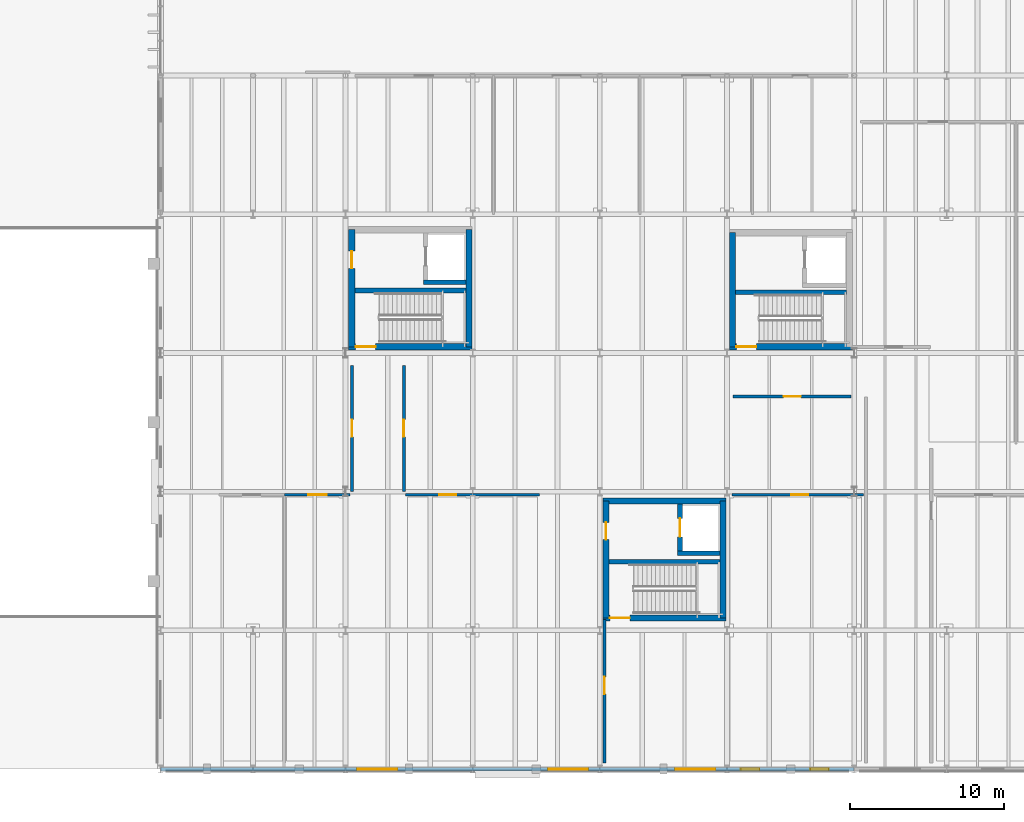
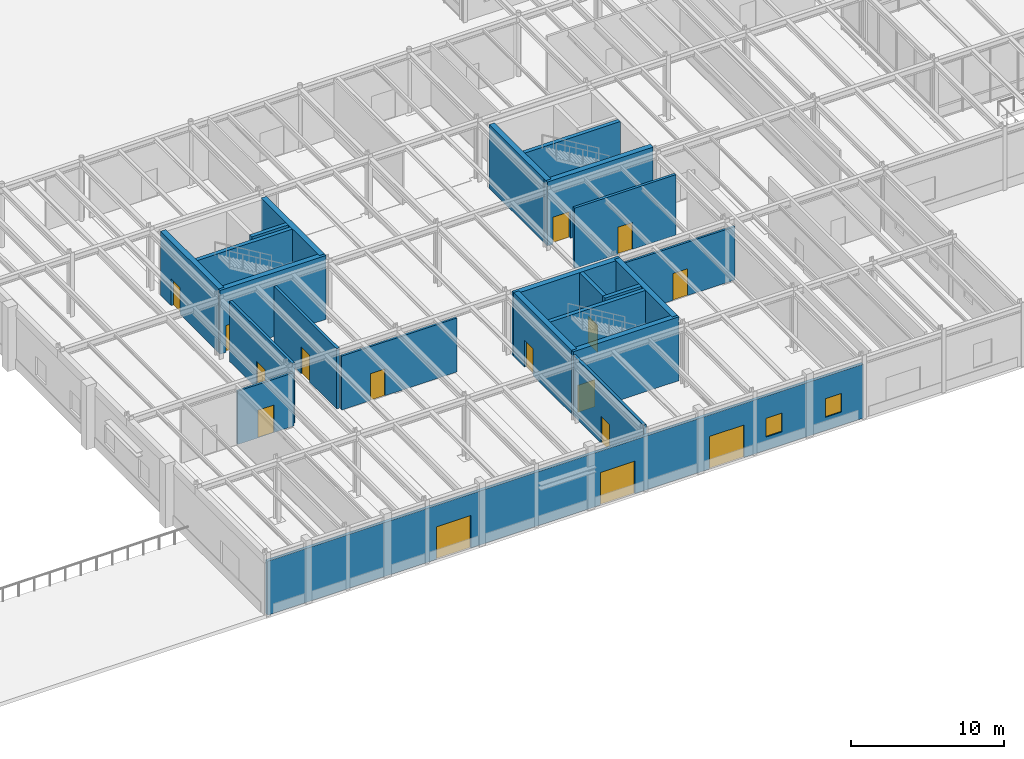
# One storey, part 40 of 64: 23 walls, 16 doors, 2 windows, 18 openings.
"""IFC4 building model written with IfcOpenShell, lengths in metres."""

from ifc_helpers import new_model, si_unit, direction, frame, frame_2d, origin, place, context, subcontext, project, spatial, rectangle, extrude, material, layer, layer_set, type_object, element, fill, save


model = new_model("IFC4")

# Units and contexts
model_context = context("Model", 3, precision=1e-05, world=origin(), true_north=direction((0.0, 1.0)))
body_context = subcontext(model_context, "Body", "Model", "MODEL_VIEW")
ifc_project = project(units=[si_unit("LENGTHUNIT", "METRE"), si_unit("AREAUNIT", "SQUARE_METRE"), si_unit("VOLUMEUNIT", "CUBIC_METRE"), si_unit("PLANEANGLEUNIT", "RADIAN"), si_unit("MASSUNIT", "GRAM", prefix="KILO")], contexts=[model_context])

# Site, building, storey
site_placement = place(None, origin())
site = spatial("IfcSite", under=ifc_project, at=site_placement, CompositionType="ELEMENT")
building_placement = place(site_placement, origin())
building = spatial("IfcBuilding", under=site, at=building_placement, Name="Montealbar Specialist Clinic", CompositionType="ELEMENT")
storey_placement = place(building_placement, origin())
storey = spatial("IfcBuildingStorey", under=building, at=storey_placement, Name="L00", CompositionType="ELEMENT", Elevation=0.0)

# Walls
ifc_material_1 = material(Name="Concrete C35/45", Category="concrete")
ifc_layer_1 = layer(ifc_material_1, 0.300048828125, Name="Concrete C35/45", Category="concrete")
ifc_layer_set_1 = layer_set([ifc_layer_1], Name="Concrete C35/45")
wall_type_1 = type_object("IfcWallType", Name="WL-CORE-300", PredefinedType="SHEAR", material=ifc_layer_set_1)
wall_1_placement = place(storey_placement, frame((66.60009765625, 31.050048828125, 0.0), z_axis=(0.0, 0.0, 1.0), x_axis=(1.0, 0.0, 0.0)))
element("IfcWall", 1, at=wall_1_placement, inside=storey, type_object=wall_type_1, Name="Core C3 Stairwell Wall L00", PredefinedType="SHEAR", context=body_context, shape_type="SweptSolid", body=[
    extrude(rectangle(XDim=7.199951171875, YDim=0.300048828125, at=frame_2d((3.60009765625, 0.0))), origin(), (0.0, 0.0, 1.0), 5.10009765625),
])
wall_2_placement = place(storey_placement, frame((71.050048828125, 31.60009765625, 0.0), z_axis=(0.0, 0.0, 1.0), x_axis=(1.0, 0.0, 0.0)))
element("IfcWall", 2, at=wall_2_placement, inside=storey, type_object=wall_type_1, Name="Lift FL-01 Shaft Wall L00 LS", PredefinedType="SHEAR", context=body_context, shape_type="SweptSolid", body=[
    extrude(rectangle(XDim=2.75, YDim=0.300048828125, at=frame_2d((1.375, 0.0))), origin(), (0.0, 0.0, 1.0), 5.10009765625),
])
wall_3_placement = place(storey_placement, frame((83.10009765625, 13.449951171875, 0.0), z_axis=(0.0, 0.0, 1.0), x_axis=(1.0, 0.0, 0.0)))
element("IfcWall", 3, at=wall_3_placement, inside=storey, type_object=wall_type_1, Name="Core C4 Stairwell Wall L00", PredefinedType="SHEAR", context=body_context, shape_type="SweptSolid", body=[
    extrude(rectangle(XDim=7.199951171875, YDim=0.300048828125, at=frame_2d((3.60009765625, 0.0))), origin(), (0.0, 0.0, 1.0), 5.10009765625),
])
wall_4_placement = place(storey_placement, frame((87.550048828125, 14.0, 0.0), z_axis=(0.0, 0.0, 1.0), x_axis=(1.0, 0.0, 0.0)))
element("IfcWall", 4, at=wall_4_placement, inside=storey, type_object=wall_type_1, Name="Lift FL-02 Shaft Wall L00 LS", PredefinedType="SHEAR", context=body_context, shape_type="SweptSolid", body=[
    extrude(rectangle(XDim=2.75, YDim=0.300048828125, at=frame_2d((1.375, 0.0))), origin(), (0.0, 0.0, 1.0), 5.10009765625),
])

# Wall, opening, door
wall_5_placement = place(storey_placement, frame((87.699951171875, 14.14990234375, 0.0), z_axis=(0.0, 0.0, 1.0), x_axis=(0.0, 1.0, 0.0)))
wall_5 = element("IfcWall", 5, at=wall_5_placement, inside=storey, type_object=wall_type_1, Name="Lift FL-02 Shaft Wall L00 LW", PredefinedType="SHEAR", context=body_context, shape_type="SweptSolid", body=[
    extrude(rectangle(XDim=3.050048828125, YDim=0.300048828125, at=frame_2d((1.52490234375, 0.0))), origin(), (0.0, 0.0, 1.0), 5.10009765625),
])
opening_1_placement = place(wall_5_placement, frame((0.925048828125, 0.0, 0.0)))
opening_1 = element("IfcOpeningElement", 6, at=opening_1_placement, cuts=wall_5, Name="Opening LD-12", PredefinedType="OPENING", context=body_context, shape_type="SweptSolid", body=[
    extrude(rectangle(XDim=1.199951171875, YDim=2.14990234375, at=frame_2d((0.60009765625, 1.074951171875))), frame((0.0, 0.159912109375, 0.0), z_axis=(0.0, -1.0, 0.0), x_axis=(1.0, 0.0, 0.0)), (0.0, 0.0, 1.0), 0.320068359375),
])
ifc_material_2 = material(Name="Steel S355", Category="steel")
door_type_1 = type_object("IfcDoorType", Name="DR-LIFT-LD1200", OperationType="DOUBLE_DOOR_SLIDING", PredefinedType="DOOR", material=ifc_material_2)
door_1_placement = place(opening_1_placement, origin())
door_1 = element("IfcDoor", 7, at=door_1_placement, inside=storey, type_object=door_type_1, Name="Lift FL-02 Sliding Landing Door L00", OperationType="DOUBLE_DOOR_SLIDING", OverallHeight=2.14990234375, OverallWidth=1.199951171875, PredefinedType="DOOR", context=body_context, shape_type="SweptSolid", body=[
    extrude(rectangle(XDim=1.199951171875, YDim=2.14990234375, at=frame_2d((0.60009765625, 1.074951171875))), frame((0.0, 0.02490234375, 0.0), z_axis=(0.0, -1.0, 0.0), x_axis=(1.0, 0.0, 0.0)), (0.0, 0.0, 1.0), 0.050048828125),
])
fill(opening_1, door_1)

# Wall
wall_6_placement = place(storey_placement, frame((91.300048828125, 30.949951171875, 0.0), z_axis=(0.0, 0.0, 1.0), x_axis=(1.0, 0.0, 0.0)))
element("IfcWall", 8, at=wall_6_placement, inside=storey, type_object=wall_type_1, Name="Core C5 Stairwell Wall L00", PredefinedType="SHEAR", context=body_context, shape_type="SweptSolid", body=[
    extrude(rectangle(XDim=7.199951171875, YDim=0.300048828125, at=frame_2d((3.60009765625, 0.0))), origin(), (0.0, 0.0, 1.0), 5.10009765625),
])

# Wall, opening, door
ifc_layer_2 = layer(ifc_material_1, 0.39990234375, Name="Concrete C35/45", Category="concrete")
ifc_layer_set_2 = layer_set([ifc_layer_2], Name="Concrete C35/45")
wall_type_2 = type_object("IfcWallType", Name="WL-CORE-400", PredefinedType="SHEAR", material=ifc_layer_set_2)
wall_7_placement = place(storey_placement, frame((66.199951171875, 27.39990234375, 0.0), z_axis=(0.0, 0.0, 1.0), x_axis=(1.0, 0.0, 0.0)))
wall_7 = element("IfcWall", 9, at=wall_7_placement, inside=storey, type_object=wall_type_2, Name="Core C3 Shear Wall L00 S", PredefinedType="SHEAR", context=body_context, shape_type="SweptSolid", body=[
    extrude(rectangle(XDim=8.0, YDim=0.39990234375, at=frame_2d((4.0, 0.0))), origin(), (0.0, 0.0, 1.0), 5.10009765625),
])
opening_2_placement = place(wall_7_placement, frame((0.449951171875, 0.0, 0.0)))
opening_2 = element("IfcOpeningElement", 10, at=opening_2_placement, cuts=wall_7, Name="Opening SD-13", PredefinedType="OPENING", context=body_context, shape_type="SweptSolid", body=[
    extrude(rectangle(XDim=1.300048828125, YDim=2.14990234375, at=frame_2d((0.64990234375, 1.074951171875))), frame((0.0, 0.2099609375, 0.0), z_axis=(0.0, -1.0, 0.0), x_axis=(1.0, 0.0, 0.0)), (0.0, 0.0, 1.0), 0.419921875),
])
door_type_2 = type_object("IfcDoorType", Name="DR-STAIR-W1300", OperationType="NOTDEFINED", PredefinedType="DOOR", material=ifc_material_2)
door_2_placement = place(opening_2_placement, frame((1.300048828125, 0.0, 0.0), z_axis=(0.0, 0.0, 1.0), x_axis=(-1.0, 0.0, 0.0)))
door_2 = element("IfcDoor", 11, at=door_2_placement, inside=storey, type_object=door_type_2, Name="Protected Core C3 Stair Fire Door L00", OperationType="SINGLE_SWING_LEFT", OverallHeight=2.14990234375, OverallWidth=1.300048828125, PredefinedType="DOOR", context=body_context, shape_type="SweptSolid", body=[
    extrude(rectangle(XDim=1.300048828125, YDim=2.14990234375, at=frame_2d((0.64990234375, 1.074951171875))), frame((0.0, 0.02490234375, 0.0), z_axis=(0.0, -1.0, 0.0), x_axis=(1.0, 0.0, 0.0)), (0.0, 0.0, 1.0), 0.050048828125),
])
fill(opening_2, door_2)

wall_8_placement = place(storey_placement, frame((66.39990234375, 27.39990234375, 0.0), z_axis=(0.0, 0.0, 1.0), x_axis=(0.0, 1.0, 0.0)))
wall_8 = element("IfcWall", 12, at=wall_8_placement, inside=storey, type_object=wall_type_2, Name="Core C3 Shear Wall L00 W", PredefinedType="SHEAR", context=body_context, shape_type="SweptSolid", body=[
    extrude(rectangle(XDim=7.60009765625, YDim=0.39990234375, at=frame_2d((3.800048828125, 0.0))), origin(), (0.0, 0.0, 1.0), 5.10009765625),
])
opening_3_placement = place(wall_8_placement, frame((5.090087890625, 0.0, 0.0)))
opening_3 = element("IfcOpeningElement", 13, at=opening_3_placement, cuts=wall_8, Name="Opening FD-110", PredefinedType="OPENING", context=body_context, shape_type="SweptSolid", body=[
    extrude(rectangle(XDim=1.1201171875, YDim=2.14990234375, at=frame_2d((0.56005859375, 1.074951171875))), frame((0.0, 0.2099609375, 0.0), z_axis=(0.0, -1.0, 0.0), x_axis=(1.0, 0.0, 0.0)), (0.0, 0.0, 1.0), 0.419921875),
])
door_type_3 = type_object("IfcDoorType", Name="DR-FIRE-W1100", OperationType="NOTDEFINED", PredefinedType="DOOR", material=ifc_material_2)
door_3_placement = place(opening_3_placement, origin())
door_3 = element("IfcDoor", 14, at=door_3_placement, inside=storey, type_object=door_type_3, Name="Firefighting Lobby C3 Entrance Door L00", OperationType="SINGLE_SWING_RIGHT", OverallHeight=2.14990234375, OverallWidth=1.1201171875, PredefinedType="DOOR", context=body_context, shape_type="SweptSolid", body=[
    extrude(rectangle(XDim=1.1201171875, YDim=2.14990234375, at=frame_2d((0.56005859375, 1.074951171875))), frame((0.0, 0.02490234375, 0.0), z_axis=(0.0, -1.0, 0.0), x_axis=(1.0, 0.0, 0.0)), (0.0, 0.0, 1.0), 0.050048828125),
])
fill(opening_3, door_3)

# Wall
wall_9_placement = place(storey_placement, frame((74.0, 27.39990234375, 0.0), z_axis=(0.0, 0.0, 1.0), x_axis=(0.0, 1.0, 0.0)))
element("IfcWall", 15, at=wall_9_placement, inside=storey, type_object=wall_type_2, Name="Core C3 Shear Wall L00 E", PredefinedType="SHEAR", context=body_context, shape_type="SweptSolid", body=[
    extrude(rectangle(XDim=7.60009765625, YDim=0.39990234375, at=frame_2d((3.800048828125, 0.0))), origin(), (0.0, 0.0, 1.0), 5.10009765625),
])

# Wall, opening, door
wall_10_placement = place(storey_placement, frame((82.699951171875, 9.800048828125, 0.0), z_axis=(0.0, 0.0, 1.0), x_axis=(1.0, 0.0, 0.0)))
wall_10 = element("IfcWall", 16, at=wall_10_placement, inside=storey, type_object=wall_type_2, Name="Core C4 Shear Wall L00 S", PredefinedType="SHEAR", context=body_context, shape_type="SweptSolid", body=[
    extrude(rectangle(XDim=8.0, YDim=0.39990234375, at=frame_2d((4.0, 0.0))), origin(), (0.0, 0.0, 1.0), 5.10009765625),
])
opening_4_placement = place(wall_10_placement, frame((0.449951171875, 0.0, 0.0)))
opening_4 = element("IfcOpeningElement", 17, at=opening_4_placement, cuts=wall_10, Name="Opening SD-13", PredefinedType="OPENING", context=body_context, shape_type="SweptSolid", body=[
    extrude(rectangle(XDim=1.300048828125, YDim=2.14990234375, at=frame_2d((0.64990234375, 1.074951171875))), frame((0.0, 0.2099609375, 0.0), z_axis=(0.0, -1.0, 0.0), x_axis=(1.0, 0.0, 0.0)), (0.0, 0.0, 1.0), 0.419921875),
])
door_4_placement = place(opening_4_placement, frame((1.300048828125, 0.0, 0.0), z_axis=(0.0, 0.0, 1.0), x_axis=(-1.0, 0.0, 0.0)))
door_4 = element("IfcDoor", 18, at=door_4_placement, inside=storey, type_object=door_type_2, Name="Protected Core C4 Stair Fire Door L00", OperationType="SINGLE_SWING_LEFT", OverallHeight=2.14990234375, OverallWidth=1.300048828125, PredefinedType="DOOR", context=body_context, shape_type="SweptSolid", body=[
    extrude(rectangle(XDim=1.300048828125, YDim=2.14990234375, at=frame_2d((0.64990234375, 1.074951171875))), frame((0.0, 0.02490234375, 0.0), z_axis=(0.0, -1.0, 0.0), x_axis=(1.0, 0.0, 0.0)), (0.0, 0.0, 1.0), 0.050048828125),
])
fill(opening_4, door_4)

# Wall
wall_11_placement = place(storey_placement, frame((82.699951171875, 17.39990234375, 0.0), z_axis=(0.0, 0.0, 1.0), x_axis=(1.0, 0.0, 0.0)))
element("IfcWall", 19, at=wall_11_placement, inside=storey, type_object=wall_type_2, Name="Core C4 Shear Wall L00 N", PredefinedType="SHEAR", context=body_context, shape_type="SweptSolid", body=[
    extrude(rectangle(XDim=8.0, YDim=0.39990234375, at=frame_2d((4.0, 0.0))), origin(), (0.0, 0.0, 1.0), 5.10009765625),
])

# Wall, opening, door
wall_12_placement = place(storey_placement, frame((82.89990234375, 9.800048828125, 0.0), z_axis=(0.0, 0.0, 1.0), x_axis=(0.0, 1.0, 0.0)))
wall_12 = element("IfcWall", 20, at=wall_12_placement, inside=storey, type_object=wall_type_2, Name="Core C4 Shear Wall L00 W", PredefinedType="SHEAR", context=body_context, shape_type="SweptSolid", body=[
    extrude(rectangle(XDim=7.599853515625, YDim=0.39990234375, at=frame_2d((3.7998046875, 0.0))), origin(), (0.0, 0.0, 1.0), 5.10009765625),
])
opening_5_placement = place(wall_12_placement, frame((5.090087890625, 0.0, 0.0)))
opening_5 = element("IfcOpeningElement", 21, at=opening_5_placement, cuts=wall_12, Name="Opening FD-110", PredefinedType="OPENING", context=body_context, shape_type="SweptSolid", body=[
    extrude(rectangle(XDim=1.1201171875, YDim=2.14990234375, at=frame_2d((0.56005859375, 1.074951171875))), frame((0.0, 0.2099609375, 0.0), z_axis=(0.0, -1.0, 0.0), x_axis=(1.0, 0.0, 0.0)), (0.0, 0.0, 1.0), 0.419921875),
])
door_5_placement = place(opening_5_placement, origin())
door_5 = element("IfcDoor", 22, at=door_5_placement, inside=storey, type_object=door_type_3, Name="Firefighting Lobby C4 Entrance Door L00", OperationType="SINGLE_SWING_RIGHT", OverallHeight=2.14990234375, OverallWidth=1.1201171875, PredefinedType="DOOR", context=body_context, shape_type="SweptSolid", body=[
    extrude(rectangle(XDim=1.1201171875, YDim=2.14990234375, at=frame_2d((0.56005859375, 1.074951171875))), frame((0.0, 0.02490234375, 0.0), z_axis=(0.0, -1.0, 0.0), x_axis=(1.0, 0.0, 0.0)), (0.0, 0.0, 1.0), 0.050048828125),
])
fill(opening_5, door_5)

# Wall
wall_13_placement = place(storey_placement, frame((90.5, 9.800048828125, 0.0), z_axis=(0.0, 0.0, 1.0), x_axis=(0.0, 1.0, 0.0)))
element("IfcWall", 23, at=wall_13_placement, inside=storey, type_object=wall_type_2, Name="Core C4 Shear Wall L00 E", PredefinedType="SHEAR", context=body_context, shape_type="SweptSolid", body=[
    extrude(rectangle(XDim=7.599853515625, YDim=0.39990234375, at=frame_2d((3.7998046875, 0.0))), origin(), (0.0, 0.0, 1.0), 5.10009765625),
])

# Wall, opening, door
wall_14_placement = place(storey_placement, frame((90.89990234375, 27.39990234375, 0.0), z_axis=(0.0, 0.0, 1.0), x_axis=(1.0, 0.0, 0.0)))
wall_14 = element("IfcWall", 24, at=wall_14_placement, inside=storey, type_object=wall_type_2, Name="Core C5 Shear Wall L00 S", PredefinedType="SHEAR", context=body_context, shape_type="SweptSolid", body=[
    extrude(rectangle(XDim=8.0, YDim=0.39990234375, at=frame_2d((4.0, 0.0))), origin(), (0.0, 0.0, 1.0), 5.10009765625),
])
opening_6_placement = place(wall_14_placement, frame((0.449951171875, 0.0, 0.0)))
opening_6 = element("IfcOpeningElement", 25, at=opening_6_placement, cuts=wall_14, Name="Opening SD-13", PredefinedType="OPENING", context=body_context, shape_type="SweptSolid", body=[
    extrude(rectangle(XDim=1.300048828125, YDim=2.14990234375, at=frame_2d((0.64990234375, 1.074951171875))), frame((0.0, 0.2099609375, 0.0), z_axis=(0.0, -1.0, 0.0), x_axis=(1.0, 0.0, 0.0)), (0.0, 0.0, 1.0), 0.419921875),
])
door_6_placement = place(opening_6_placement, frame((1.300048828125, 0.0, 0.0), z_axis=(0.0, 0.0, 1.0), x_axis=(-1.0, 0.0, 0.0)))
door_6 = element("IfcDoor", 26, at=door_6_placement, inside=storey, type_object=door_type_2, Name="Protected Core C5 Stair Fire Door L00", OperationType="SINGLE_SWING_LEFT", OverallHeight=2.14990234375, OverallWidth=1.300048828125, PredefinedType="DOOR", context=body_context, shape_type="SweptSolid", body=[
    extrude(rectangle(XDim=1.300048828125, YDim=2.14990234375, at=frame_2d((0.64990234375, 1.074951171875))), frame((0.0, 0.02490234375, 0.0), z_axis=(0.0, -1.0, 0.0), x_axis=(1.0, 0.0, 0.0)), (0.0, 0.0, 1.0), 0.050048828125),
])
fill(opening_6, door_6)

# Wall
wall_15_placement = place(storey_placement, frame((91.10009765625, 27.39990234375, 0.0), z_axis=(0.0, 0.0, 1.0), x_axis=(0.0, 1.0, 0.0)))
element("IfcWall", 27, at=wall_15_placement, inside=storey, type_object=wall_type_2, Name="Core C5 Shear Wall L00 W", PredefinedType="SHEAR", context=body_context, shape_type="SweptSolid", body=[
    extrude(rectangle(XDim=7.400146484375, YDim=0.39990234375, at=frame_2d((3.7001953125, 0.0))), origin(), (0.0, 0.0, 1.0), 5.10009765625),
])

# Wall, openings, doors, windows
ifc_material_3 = material(Name="Precast concrete C40/50", Category="concrete")
ifc_layer_3 = layer(ifc_material_3, 0.239990234375, Name="Precast concrete C40/50", Category="concrete")
ifc_layer_set_3 = layer_set([ifc_layer_3], Name="Precast concrete C40/50")
wall_type_3 = type_object("IfcWallType", Name="WL-EXT-CLINIC-240", PredefinedType="SOLIDWALL", material=ifc_layer_set_3)
wall_16_placement = place(storey_placement, frame((99.0, 0.0, 0.0), z_axis=(0.0, 0.0, 1.0), x_axis=(-1.0, 0.0, 0.0)))
wall_16 = element("IfcWall", 28, at=wall_16_placement, inside=storey, type_object=wall_type_3, Name="Exterior Facade Wall EW-L00-001", PredefinedType="SOLIDWALL", context=body_context, shape_type="SweptSolid", body=[
    extrude(rectangle(XDim=45.0, YDim=0.239990234375, at=frame_2d((22.5, 0.0))), origin(), (0.0, 0.0, 1.0), 4.31005859375),
])
opening_7_placement = place(wall_16_placement, frame((29.639892578125, 0.0, 0.0)))
opening_7 = element("IfcOpeningElement", 29, at=opening_7_placement, cuts=wall_16, Name="Opening ED-26", PredefinedType="OPENING", context=body_context, shape_type="SweptSolid", body=[
    extrude(rectangle(XDim=2.60009765625, YDim=2.60009765625, at=frame_2d((1.300048828125, 1.300048828125))), frame((0.0, 0.1298828125, 0.0), z_axis=(0.0, -1.0, 0.0), x_axis=(1.0, 0.0, 0.0)), (0.0, 0.0, 1.0), 0.260009765625),
])
opening_8_placement = place(wall_16_placement, frame((17.260009765625, 0.0, 0.0)))
opening_8 = element("IfcOpeningElement", 30, at=opening_8_placement, cuts=wall_16, Name="Opening ED-26", PredefinedType="OPENING", context=body_context, shape_type="SweptSolid", body=[
    extrude(rectangle(XDim=2.60009765625, YDim=2.60009765625, at=frame_2d((1.300048828125, 1.300048828125))), frame((0.0, 0.1298828125, 0.0), z_axis=(0.0, -1.0, 0.0), x_axis=(1.0, 0.0, 0.0)), (0.0, 0.0, 1.0), 0.260009765625),
])
opening_9_placement = place(wall_16_placement, frame((9.010009765625, 0.0, 0.0)))
opening_9 = element("IfcOpeningElement", 31, at=opening_9_placement, cuts=wall_16, Name="Opening ED-26", PredefinedType="OPENING", context=body_context, shape_type="SweptSolid", body=[
    extrude(rectangle(XDim=2.60009765625, YDim=2.60009765625, at=frame_2d((1.300048828125, 1.300048828125))), frame((0.0, 0.1298828125, 0.0), z_axis=(0.0, -1.0, 0.0), x_axis=(1.0, 0.0, 0.0)), (0.0, 0.0, 1.0), 0.260009765625),
])
opening_10_placement = place(wall_16_placement, frame((1.64990234375, 0.0, 1.050048828125)))
opening_10 = element("IfcOpeningElement", 32, at=opening_10_placement, cuts=wall_16, Name="Opening WN-01", PredefinedType="OPENING", context=body_context, shape_type="SweptSolid", body=[
    extrude(rectangle(XDim=1.199951171875, YDim=1.5, at=frame_2d((0.60009765625, 0.75))), frame((0.0, 0.1298828125, 0.0), z_axis=(0.0, -1.0, 0.0), x_axis=(1.0, 0.0, 0.0)), (0.0, 0.0, 1.0), 0.260009765625),
])
opening_11_placement = place(wall_16_placement, frame((6.14990234375, 0.0, 1.050048828125)))
opening_11 = element("IfcOpeningElement", 33, at=opening_11_placement, cuts=wall_16, Name="Opening WN-01", PredefinedType="OPENING", context=body_context, shape_type="SweptSolid", body=[
    extrude(rectangle(XDim=1.199951171875, YDim=1.5, at=frame_2d((0.60009765625, 0.75))), frame((0.0, 0.1298828125, 0.0), z_axis=(0.0, -1.0, 0.0), x_axis=(1.0, 0.0, 0.0)), (0.0, 0.0, 1.0), 0.260009765625),
])
ifc_material_4 = material(Name="Powder-coated aluminium", Category="aluminium")
door_type_4 = type_object("IfcDoorType", Name="DR-PLAZA-W2600", OperationType="DOUBLE_DOOR_SINGLE_SWING", PredefinedType="DOOR", material=ifc_material_4)
door_7_placement = place(opening_7_placement, origin())
door_7 = element("IfcDoor", 34, at=door_7_placement, inside=storey, type_object=door_type_4, Name="South-West Core C3 Final Exit Door EX-03", OperationType="DOUBLE_DOOR_SINGLE_SWING", OverallHeight=2.60009765625, OverallWidth=2.60009765625, PredefinedType="DOOR", context=body_context, shape_type="SweptSolid", body=[
    extrude(rectangle(XDim=2.60009765625, YDim=2.60009765625, at=frame_2d((1.300048828125, 1.300048828125))), frame((0.0, 0.02490234375, 0.0), z_axis=(0.0, -1.0, 0.0), x_axis=(1.0, 0.0, 0.0)), (0.0, 0.0, 1.0), 0.050048828125),
])
fill(opening_7, door_7)
door_8_placement = place(opening_8_placement, origin())
door_8 = element("IfcDoor", 35, at=door_8_placement, inside=storey, type_object=door_type_4, Name="South Central Outpatient Entrance EX-04A", OperationType="DOUBLE_DOOR_SINGLE_SWING", OverallHeight=2.60009765625, OverallWidth=2.60009765625, PredefinedType="DOOR", context=body_context, shape_type="SweptSolid", body=[
    extrude(rectangle(XDim=2.60009765625, YDim=2.60009765625, at=frame_2d((1.300048828125, 1.300048828125))), frame((0.0, 0.02490234375, 0.0), z_axis=(0.0, -1.0, 0.0), x_axis=(1.0, 0.0, 0.0)), (0.0, 0.0, 1.0), 0.050048828125),
])
fill(opening_8, door_8)
door_9_placement = place(opening_9_placement, origin())
door_9 = element("IfcDoor", 36, at=door_9_placement, inside=storey, type_object=door_type_4, Name="South Core C4 Final Exit Door EX-04B", OperationType="DOUBLE_DOOR_SINGLE_SWING", OverallHeight=2.60009765625, OverallWidth=2.60009765625, PredefinedType="DOOR", context=body_context, shape_type="SweptSolid", body=[
    extrude(rectangle(XDim=2.60009765625, YDim=2.60009765625, at=frame_2d((1.300048828125, 1.300048828125))), frame((0.0, 0.02490234375, 0.0), z_axis=(0.0, -1.0, 0.0), x_axis=(1.0, 0.0, 0.0)), (0.0, 0.0, 1.0), 0.050048828125),
])
fill(opening_9, door_9)
ifc_material_5 = material(Name="Low-E double glazing", Category="glass")
window_type = type_object("IfcWindowType", Name="WIN-WN-01", PartitioningType="SINGLE_PANEL", PredefinedType="WINDOW", material=ifc_material_5)
window_1_placement = place(opening_10_placement, origin())
window_1 = element("IfcWindow", 37, at=window_1_placement, inside=storey, type_object=window_type, Name="Clinical Facade Window WN-01 L00-0001", OverallHeight=1.5, OverallWidth=1.199951171875, PartitioningType="SINGLE_PANEL", PredefinedType="WINDOW", context=body_context, shape_type="SweptSolid", body=[
    extrude(rectangle(XDim=1.199951171875, YDim=1.5, at=frame_2d((0.60009765625, 0.75))), frame((0.0, 0.030029296875, 0.0), z_axis=(0.0, -1.0, 0.0), x_axis=(1.0, 0.0, 0.0)), (0.0, 0.0, 1.0), 0.06005859375),
])
fill(opening_10, window_1)
window_2_placement = place(opening_11_placement, origin())
window_2 = element("IfcWindow", 38, at=window_2_placement, inside=storey, type_object=window_type, Name="Clinical Facade Window WN-01 L00-0002", OverallHeight=1.5, OverallWidth=1.199951171875, PartitioningType="SINGLE_PANEL", PredefinedType="WINDOW", context=body_context, shape_type="SweptSolid", body=[
    extrude(rectangle(XDim=1.199951171875, YDim=1.5, at=frame_2d((0.60009765625, 0.75))), frame((0.0, 0.030029296875, 0.0), z_axis=(0.0, -1.0, 0.0), x_axis=(1.0, 0.0, 0.0)), (0.0, 0.0, 1.0), 0.06005859375),
])
fill(opening_11, window_2)

# Wall, opening, door
ifc_material_6 = material(Name="Gypsum acoustic partition", Category="gypsum")
ifc_layer_4 = layer(ifc_material_6, 0.159912109375, Name="Gypsum acoustic partition", Category="gypsum")
ifc_layer_set_4 = layer_set([ifc_layer_4], Name="Gypsum acoustic partition")
wall_type_4 = type_object("IfcWallType", Name="WL-PART-CLINIC-160", PredefinedType="PARTITIONING", material=ifc_layer_set_4)
wall_17_placement = place(storey_placement, frame((62.050048828125, 17.800048828125, 0.0), z_axis=(0.0, 0.0, 1.0), x_axis=(1.0, 0.0, 0.0)))
wall_17 = element("IfcWall", 39, at=wall_17_placement, inside=storey, type_object=wall_type_4, Name="Clinical Partition PART-L00-0057", PredefinedType="PARTITIONING", context=body_context, shape_type="SweptSolid", body=[
    extrude(rectangle(XDim=4.25, YDim=0.159912109375, at=frame_2d((2.125, 0.0))), origin(), (0.0, 0.0, 1.0), 4.260009765625),
])
opening_12_placement = place(wall_17_placement, frame((1.52490234375, 0.0, 0.0)))
opening_12 = element("IfcOpeningElement", 40, at=opening_12_placement, cuts=wall_17, Name="Opening ID-120", PredefinedType="OPENING", context=body_context, shape_type="SweptSolid", body=[
    extrude(rectangle(XDim=1.199951171875, YDim=2.199951171875, at=frame_2d((0.60009765625, 1.10009765625))), frame((0.0, 0.08984375, 0.0), z_axis=(0.0, -1.0, 0.0), x_axis=(1.0, 0.0, 0.0)), (0.0, 0.0, 1.0), 0.179931640625),
])
ifc_material_7 = material(Name="Acoustic timber leaf", Category="wood")
door_type_5 = type_object("IfcDoorType", Name="DR-CLIN-W1200", OperationType="NOTDEFINED", PredefinedType="DOOR", material=ifc_material_7)
door_10_placement = place(opening_12_placement, origin())
door_10 = element("IfcDoor", 41, at=door_10_placement, inside=storey, type_object=door_type_5, Name="Clinical Room Door IDR-L00-0039", OperationType="SINGLE_SWING_LEFT", OverallHeight=2.199951171875, OverallWidth=1.199951171875, PredefinedType="DOOR", context=body_context, shape_type="SweptSolid", body=[
    extrude(rectangle(XDim=1.199951171875, YDim=2.199951171875, at=frame_2d((0.60009765625, 1.10009765625))), frame((0.0, 0.02490234375, 0.0), z_axis=(0.0, -1.0, 0.0), x_axis=(1.0, 0.0, 0.0)), (0.0, 0.0, 1.0), 0.050048828125),
])
fill(opening_12, door_10)

wall_18_placement = place(storey_placement, frame((69.89990234375, 17.800048828125, 0.0), z_axis=(0.0, 0.0, 1.0), x_axis=(1.0, 0.0, 0.0)))
wall_18 = element("IfcWall", 42, at=wall_18_placement, inside=storey, type_object=wall_type_4, Name="Clinical Partition PART-L00-0058", PredefinedType="PARTITIONING", context=body_context, shape_type="SweptSolid", body=[
    extrude(rectangle(XDim=8.7001953125, YDim=0.159912109375, at=frame_2d((4.35009765625, 0.0))), origin(), (0.0, 0.0, 1.0), 4.31005859375),
])
opening_13_placement = place(wall_18_placement, frame((2.16796875, 0.0, 0.0)))
opening_13 = element("IfcOpeningElement", 43, at=opening_13_placement, cuts=wall_18, Name="Opening ID-110", PredefinedType="OPENING", context=body_context, shape_type="SweptSolid", body=[
    extrude(rectangle(XDim=1.10009765625, YDim=2.14990234375, at=frame_2d((0.550048828125, 1.074951171875))), frame((0.0, 0.08984375, 0.0), z_axis=(0.0, -1.0, 0.0), x_axis=(1.0, 0.0, 0.0)), (0.0, 0.0, 1.0), 0.179931640625),
])
door_type_6 = type_object("IfcDoorType", Name="DR-CLIN-W1100", OperationType="NOTDEFINED", PredefinedType="DOOR", material=ifc_material_7)
door_11_placement = place(opening_13_placement, origin())
door_11 = element("IfcDoor", 44, at=door_11_placement, inside=storey, type_object=door_type_6, Name="Clinical Room Door IDR-L00-0040", OperationType="SINGLE_SWING_RIGHT", OverallHeight=2.14990234375, OverallWidth=1.10009765625, PredefinedType="DOOR", context=body_context, shape_type="SweptSolid", body=[
    extrude(rectangle(XDim=1.10009765625, YDim=2.14990234375, at=frame_2d((0.550048828125, 1.074951171875))), frame((0.0, 0.02490234375, 0.0), z_axis=(0.0, -1.0, 0.0), x_axis=(1.0, 0.0, 0.0)), (0.0, 0.0, 1.0), 0.050048828125),
])
fill(opening_13, door_11)

wall_19_placement = place(storey_placement, frame((91.080078125, 17.800048828125, 0.0), z_axis=(0.0, 0.0, 1.0), x_axis=(1.0, 0.0, 0.0)))
wall_19 = element("IfcWall", 45, at=wall_19_placement, inside=storey, type_object=wall_type_4, Name="Clinical Partition PART-L00-0059", PredefinedType="PARTITIONING", context=body_context, shape_type="SweptSolid", body=[
    extrude(rectangle(XDim=8.52001953125, YDim=0.159912109375, at=frame_2d((4.260009765625, 0.0))), origin(), (0.0, 0.0, 1.0), 4.260009765625),
])
opening_14_placement = place(wall_19_placement, frame((3.85009765625, 0.0, 0.0)))
opening_14 = element("IfcOpeningElement", 46, at=opening_14_placement, cuts=wall_19, Name="Opening ID-110", PredefinedType="OPENING", context=body_context, shape_type="SweptSolid", body=[
    extrude(rectangle(XDim=1.10009765625, YDim=2.14990234375, at=frame_2d((0.550048828125, 1.074951171875))), frame((0.0, 0.08984375, 0.0), z_axis=(0.0, -1.0, 0.0), x_axis=(1.0, 0.0, 0.0)), (0.0, 0.0, 1.0), 0.179931640625),
])
door_12_placement = place(opening_14_placement, origin())
door_12 = element("IfcDoor", 47, at=door_12_placement, inside=storey, type_object=door_type_6, Name="Clinical Room Door IDR-L00-0041", OperationType="SINGLE_SWING_LEFT", OverallHeight=2.14990234375, OverallWidth=1.10009765625, PredefinedType="DOOR", context=body_context, shape_type="SweptSolid", body=[
    extrude(rectangle(XDim=1.10009765625, YDim=2.14990234375, at=frame_2d((0.550048828125, 1.074951171875))), frame((0.0, 0.02490234375, 0.0), z_axis=(0.0, -1.0, 0.0), x_axis=(1.0, 0.0, 0.0)), (0.0, 0.0, 1.0), 0.050048828125),
])
fill(opening_14, door_12)

ifc_material_8 = material(Name="Concrete C30/37", Category="concrete")
ifc_layer_5 = layer(ifc_material_8, 0.199951171875, Name="Concrete C30/37", Category="concrete")
ifc_layer_set_5 = layer_set([ifc_layer_5], Name="Concrete C30/37")
wall_type_5 = type_object("IfcWallType", Name="WL-PART-FIRE-200", PredefinedType="PARTITIONING", material=ifc_layer_set_5)
wall_20_placement = place(storey_placement, frame((66.419921875, 18.0, 0.0), z_axis=(0.0, 0.0, 1.0), x_axis=(0.0, 1.0, 0.0)))
wall_20 = element("IfcWall", 48, at=wall_20_placement, inside=storey, type_object=wall_type_5, Name="Clinical Partition PART-L00-0038", PredefinedType="PARTITIONING", context=body_context, shape_type="SweptSolid", body=[
    extrude(rectangle(XDim=8.199951171875, YDim=0.199951171875, at=frame_2d((4.10009765625, 0.0))), origin(), (0.0, 0.0, 1.0), 4.820068359375),
])
opening_15_placement = place(wall_20_placement, frame((3.550048828125, 0.0, 0.0)))
opening_15 = element("IfcOpeningElement", 49, at=opening_15_placement, cuts=wall_20, Name="Opening FD-110", PredefinedType="OPENING", context=body_context, shape_type="SweptSolid", body=[
    extrude(rectangle(XDim=1.1201171875, YDim=2.14990234375, at=frame_2d((0.56005859375, 1.074951171875))), frame((0.0, 0.10986328125, 0.0), z_axis=(0.0, -1.0, 0.0), x_axis=(1.0, 0.0, 0.0)), (0.0, 0.0, 1.0), 0.219970703125),
])
door_13_placement = place(opening_15_placement, origin())
door_13 = element("IfcDoor", 50, at=door_13_placement, inside=storey, type_object=door_type_3, Name="Clinical Room Door IDR-L00-0026", OperationType="SINGLE_SWING_RIGHT", OverallHeight=2.14990234375, OverallWidth=1.1201171875, PredefinedType="DOOR", context=body_context, shape_type="SweptSolid", body=[
    extrude(rectangle(XDim=1.1201171875, YDim=2.14990234375, at=frame_2d((0.56005859375, 1.074951171875))), frame((0.0, 0.02490234375, 0.0), z_axis=(0.0, -1.0, 0.0), x_axis=(1.0, 0.0, 0.0)), (0.0, 0.0, 1.0), 0.050048828125),
])
fill(opening_15, door_13)

wall_21_placement = place(storey_placement, frame((69.780029296875, 18.0, 0.0), z_axis=(0.0, 0.0, 1.0), x_axis=(0.0, 1.0, 0.0)))
wall_21 = element("IfcWall", 51, at=wall_21_placement, inside=storey, type_object=wall_type_5, Name="Clinical Partition PART-L00-0039", PredefinedType="PARTITIONING", context=body_context, shape_type="SweptSolid", body=[
    extrude(rectangle(XDim=8.199951171875, YDim=0.199951171875, at=frame_2d((4.10009765625, 0.0))), origin(), (0.0, 0.0, 1.0), 4.820068359375),
])
opening_16_placement = place(wall_21_placement, frame((3.550048828125, 0.0, 0.0)))
opening_16 = element("IfcOpeningElement", 52, at=opening_16_placement, cuts=wall_21, Name="Opening FD-110", PredefinedType="OPENING", context=body_context, shape_type="SweptSolid", body=[
    extrude(rectangle(XDim=1.1201171875, YDim=2.14990234375, at=frame_2d((0.56005859375, 1.074951171875))), frame((0.0, 0.10986328125, 0.0), z_axis=(0.0, -1.0, 0.0), x_axis=(1.0, 0.0, 0.0)), (0.0, 0.0, 1.0), 0.219970703125),
])
door_14_placement = place(opening_16_placement, frame((1.1201171875, 0.0, 0.0), z_axis=(0.0, 0.0, 1.0), x_axis=(-1.0, 0.0, 0.0)))
door_14 = element("IfcDoor", 53, at=door_14_placement, inside=storey, type_object=door_type_3, Name="Clinical Room Door IDR-L00-0027", OperationType="SINGLE_SWING_LEFT", OverallHeight=2.14990234375, OverallWidth=1.1201171875, PredefinedType="DOOR", context=body_context, shape_type="SweptSolid", body=[
    extrude(rectangle(XDim=1.1201171875, YDim=2.14990234375, at=frame_2d((0.56005859375, 1.074951171875))), frame((0.0, 0.02490234375, 0.0), z_axis=(0.0, -1.0, 0.0), x_axis=(1.0, 0.0, 0.0)), (0.0, 0.0, 1.0), 0.050048828125),
])
fill(opening_16, door_14)

wall_22_placement = place(storey_placement, frame((82.800048828125, 0.39990234375, 0.0), z_axis=(0.0, 0.0, 1.0), x_axis=(0.0, 1.0, 0.0)))
wall_22 = element("IfcWall", 54, at=wall_22_placement, inside=storey, type_object=wall_type_5, Name="Clinical Partition PART-L00-0040", PredefinedType="PARTITIONING", context=body_context, shape_type="SweptSolid", body=[
    extrude(rectangle(XDim=9.300048828125, YDim=0.199951171875, at=frame_2d((4.64990234375, 0.0))), origin(), (0.0, 0.0, 1.0), 4.820068359375),
])
opening_17_placement = place(wall_22_placement, frame((4.469970703125, 0.0, 0.0)))
opening_17 = element("IfcOpeningElement", 55, at=opening_17_placement, cuts=wall_22, Name="Opening FD-110", PredefinedType="OPENING", context=body_context, shape_type="SweptSolid", body=[
    extrude(rectangle(XDim=1.1201171875, YDim=2.14990234375, at=frame_2d((0.56005859375, 1.074951171875))), frame((0.0, 0.10986328125, 0.0), z_axis=(0.0, -1.0, 0.0), x_axis=(1.0, 0.0, 0.0)), (0.0, 0.0, 1.0), 0.219970703125),
])
door_15_placement = place(opening_17_placement, origin())
door_15 = element("IfcDoor", 56, at=door_15_placement, inside=storey, type_object=door_type_3, Name="Clinical Room Door IDR-L00-0028", OperationType="SINGLE_SWING_RIGHT", OverallHeight=2.14990234375, OverallWidth=1.1201171875, PredefinedType="DOOR", context=body_context, shape_type="SweptSolid", body=[
    extrude(rectangle(XDim=1.1201171875, YDim=2.14990234375, at=frame_2d((0.56005859375, 1.074951171875))), frame((0.0, 0.02490234375, 0.0), z_axis=(0.0, -1.0, 0.0), x_axis=(1.0, 0.0, 0.0)), (0.0, 0.0, 1.0), 0.050048828125),
])
fill(opening_17, door_15)

wall_23_placement = place(storey_placement, frame((91.14990234375, 24.179931640625, 0.0), z_axis=(0.0, 0.0, 1.0), x_axis=(1.0, 0.0, 0.0)))
wall_23 = element("IfcWall", 57, at=wall_23_placement, inside=storey, type_object=wall_type_5, Name="Clinical Partition PART-L00-0041", PredefinedType="PARTITIONING", context=body_context, shape_type="SweptSolid", body=[
    extrude(rectangle(XDim=7.650146484375, YDim=0.199951171875, at=frame_2d((3.8251953125, 0.0))), origin(), (0.0, 0.0, 1.0), 4.820068359375),
])
opening_18_placement = place(wall_23_placement, frame((3.27490234375, 0.0, 0.0)))
opening_18 = element("IfcOpeningElement", 58, at=opening_18_placement, cuts=wall_23, Name="Opening FD-110", PredefinedType="OPENING", context=body_context, shape_type="SweptSolid", body=[
    extrude(rectangle(XDim=1.1201171875, YDim=2.14990234375, at=frame_2d((0.56005859375, 1.074951171875))), frame((0.0, 0.10986328125, 0.0), z_axis=(0.0, -1.0, 0.0), x_axis=(1.0, 0.0, 0.0)), (0.0, 0.0, 1.0), 0.219970703125),
])
door_16_placement = place(opening_18_placement, origin())
door_16 = element("IfcDoor", 59, at=door_16_placement, inside=storey, type_object=door_type_3, Name="Clinical Room Door IDR-L00-0029", OperationType="SINGLE_SWING_LEFT", OverallHeight=2.14990234375, OverallWidth=1.1201171875, PredefinedType="DOOR", context=body_context, shape_type="SweptSolid", body=[
    extrude(rectangle(XDim=1.1201171875, YDim=2.14990234375, at=frame_2d((0.56005859375, 1.074951171875))), frame((0.0, 0.02490234375, 0.0), z_axis=(0.0, -1.0, 0.0), x_axis=(1.0, 0.0, 0.0)), (0.0, 0.0, 1.0), 0.050048828125),
])
fill(opening_18, door_16)

save(model, "model.ifc")
